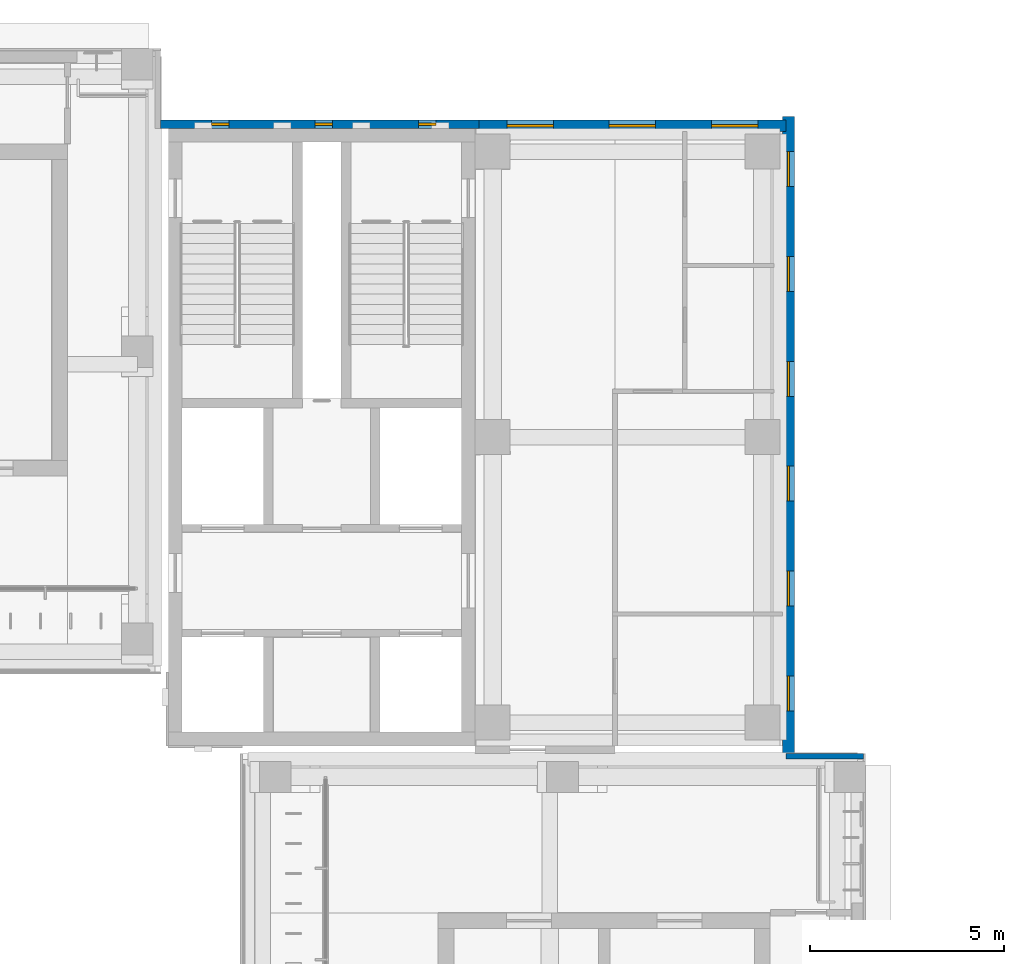
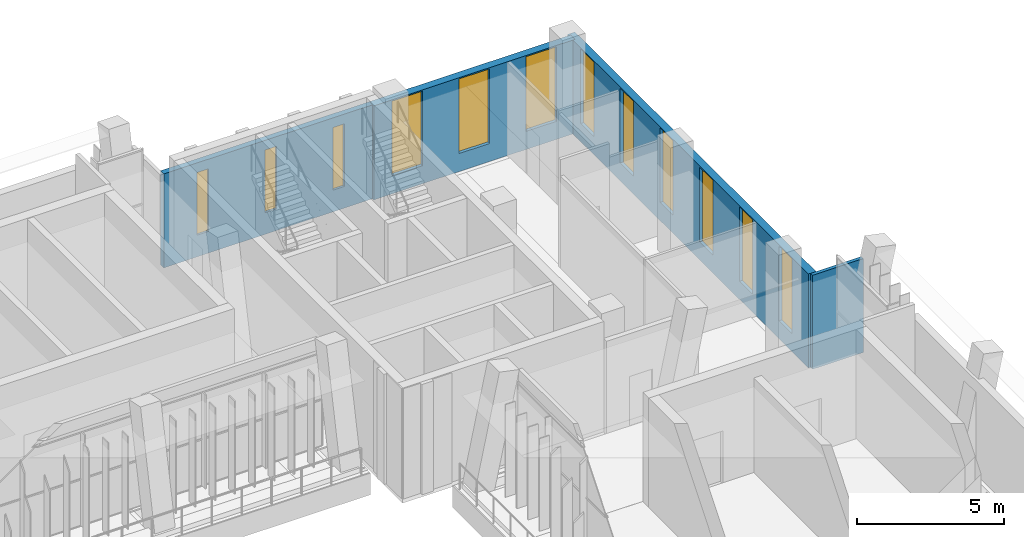
# One storey, part 115 of 141: 12 windows, 4 walls, 12 openings.
"""IFC4 building model written with IfcOpenShell, lengths in metres."""

from ifc_helpers import new_model, si_unit, direction, frame, frame_2d, origin, place, context, subcontext, project, spatial, rectangle, extrude, material, layer, layer_set, type_object, element, fill, save


model = new_model("IFC4")

# Units and contexts
model_context = context("Model", 3, precision=1e-05, world=origin(), true_north=direction((0.0, 1.0)))
body_context = subcontext(model_context, "Body", "Model", "MODEL_VIEW")
ifc_project = project(units=[si_unit("LENGTHUNIT", "METRE"), si_unit("AREAUNIT", "SQUARE_METRE"), si_unit("VOLUMEUNIT", "CUBIC_METRE"), si_unit("PLANEANGLEUNIT", "RADIAN"), si_unit("MASSUNIT", "GRAM", prefix="KILO")], contexts=[model_context])

# Site, building, storey
site_placement = place(None, origin())
site = spatial("IfcSite", under=ifc_project, at=site_placement, CompositionType="ELEMENT")
building_placement = place(site_placement, origin())
building = spatial("IfcBuilding", under=site, at=building_placement, Name="Lantern Court Media Centre", CompositionType="ELEMENT")
storey_placement = place(building_placement, frame((0.0, 0.0, 9.60009765625)))
storey = spatial("IfcBuildingStorey", under=building, at=storey_placement, Name="L02", CompositionType="ELEMENT", Elevation=9.60009765625)

# Wall, openings, windows
ifc_material_1 = material(Name="Honed limestone cladding on blockwork", Category="masonry")
ifc_layer_1 = layer(ifc_material_1, 0.300048828125)
ifc_layer_set_1 = layer_set([ifc_layer_1], Name="Honed limestone cladding on blockwork")
wall_type_1 = type_object("IfcWallType", Name="Limestone block wall 300", PredefinedType="SOLIDWALL", material=ifc_layer_set_1)
wall_1_placement = place(storey_placement, frame((96.070068359375, 95.89990234375, 0.0), z_axis=(0.0, 0.0, 1.0), x_axis=(0.0, 1.0, 0.0)))
wall_1 = element("IfcWall", 1, at=wall_1_placement, inside=storey, type_object=wall_type_1, Name="Limestone wall NE E L02", PredefinedType="SOLIDWALL", context=body_context, shape_type="SweptSolid", body=[
    extrude(rectangle(XDim=16.400146484375, YDim=0.300048828125, at=frame_2d((8.2001953125, 0.0))), origin(), (0.0, 0.0, 1.0), 3.89990234375),
])
opening_1_placement = place(wall_1_placement, frame((1.10009765625, 0.0, 0.75)))
opening_1 = element("IfcOpeningElement", 2, at=opening_1_placement, cuts=wall_1, Name="Opening WN-N", PredefinedType="OPENING", context=body_context, shape_type="SweptSolid", body=[
    extrude(rectangle(XDim=0.89990234375, YDim=3.10009765625, at=frame_2d((0.449951171875, 1.550048828125))), frame((0.0, 0.159912109375, 0.0), z_axis=(0.0, -1.0, 0.0), x_axis=(1.0, 0.0, 0.0)), (0.0, 0.0, 1.0), 0.320068359375),
])
opening_2_placement = place(wall_1_placement, frame((3.800048828125, 0.0, 0.75)))
opening_2 = element("IfcOpeningElement", 3, at=opening_2_placement, cuts=wall_1, Name="Opening WN-N", PredefinedType="OPENING", context=body_context, shape_type="SweptSolid", body=[
    extrude(rectangle(XDim=0.89990234375, YDim=3.10009765625, at=frame_2d((0.449951171875, 1.550048828125))), frame((0.0, 0.159912109375, 0.0), z_axis=(0.0, -1.0, 0.0), x_axis=(1.0, 0.0, 0.0)), (0.0, 0.0, 1.0), 0.320068359375),
])
opening_3_placement = place(wall_1_placement, frame((6.5, 0.0, 0.75)))
opening_3 = element("IfcOpeningElement", 4, at=opening_3_placement, cuts=wall_1, Name="Opening WN-N", PredefinedType="OPENING", context=body_context, shape_type="SweptSolid", body=[
    extrude(rectangle(XDim=0.89990234375, YDim=3.10009765625, at=frame_2d((0.449951171875, 1.550048828125))), frame((0.0, 0.159912109375, 0.0), z_axis=(0.0, -1.0, 0.0), x_axis=(1.0, 0.0, 0.0)), (0.0, 0.0, 1.0), 0.320068359375),
])
opening_4_placement = place(wall_1_placement, frame((9.199951171875, 0.0, 0.75)))
opening_4 = element("IfcOpeningElement", 5, at=opening_4_placement, cuts=wall_1, Name="Opening WN-N", PredefinedType="OPENING", context=body_context, shape_type="SweptSolid", body=[
    extrude(rectangle(XDim=0.89990234375, YDim=3.10009765625, at=frame_2d((0.449951171875, 1.550048828125))), frame((0.0, 0.159912109375, 0.0), z_axis=(0.0, -1.0, 0.0), x_axis=(1.0, 0.0, 0.0)), (0.0, 0.0, 1.0), 0.320068359375),
])
opening_5_placement = place(wall_1_placement, frame((11.89990234375, 0.0, 0.75)))
opening_5 = element("IfcOpeningElement", 6, at=opening_5_placement, cuts=wall_1, Name="Opening WN-N", PredefinedType="OPENING", context=body_context, shape_type="SweptSolid", body=[
    extrude(rectangle(XDim=0.89990234375, YDim=3.10009765625, at=frame_2d((0.449951171875, 1.550048828125))), frame((0.0, 0.159912109375, 0.0), z_axis=(0.0, -1.0, 0.0), x_axis=(1.0, 0.0, 0.0)), (0.0, 0.0, 1.0), 0.320068359375),
])
opening_6_placement = place(wall_1_placement, frame((14.60009765625, 0.0, 0.75)))
opening_6 = element("IfcOpeningElement", 7, at=opening_6_placement, cuts=wall_1, Name="Opening WN-N", PredefinedType="OPENING", context=body_context, shape_type="SweptSolid", body=[
    extrude(rectangle(XDim=0.89990234375, YDim=3.10009765625, at=frame_2d((0.449951171875, 1.550048828125))), frame((0.0, 0.159912109375, 0.0), z_axis=(0.0, -1.0, 0.0), x_axis=(1.0, 0.0, 0.0)), (0.0, 0.0, 1.0), 0.320068359375),
])
ifc_material_2 = material(Name="Anodised aluminium and glass", Category="aluminium")
window_type_1 = type_object("IfcWindowType", Name="Pier window 900x3100", PartitioningType="SINGLE_PANEL", PredefinedType="WINDOW", material=ifc_material_2)
window_1_placement = place(opening_1_placement, origin())
window_1 = element("IfcWindow", 8, at=window_1_placement, inside=storey, type_object=window_type_1, Name="Window NE E L02", OverallHeight=3.10009765625, OverallWidth=0.89990234375, PartitioningType="SINGLE_PANEL", PredefinedType="WINDOW", context=body_context, shape_type="SweptSolid", body=[
    extrude(rectangle(XDim=0.89990234375, YDim=3.10009765625, at=frame_2d((0.449951171875, 1.550048828125))), frame((0.0, 0.030029296875, 0.0), z_axis=(0.0, -1.0, 0.0), x_axis=(1.0, 0.0, 0.0)), (0.0, 0.0, 1.0), 0.06005859375),
])
fill(opening_1, window_1)
window_2_placement = place(opening_2_placement, origin())
window_2 = element("IfcWindow", 9, at=window_2_placement, inside=storey, type_object=window_type_1, Name="Window NE E L02", OverallHeight=3.10009765625, OverallWidth=0.89990234375, PartitioningType="SINGLE_PANEL", PredefinedType="WINDOW", context=body_context, shape_type="SweptSolid", body=[
    extrude(rectangle(XDim=0.89990234375, YDim=3.10009765625, at=frame_2d((0.449951171875, 1.550048828125))), frame((0.0, 0.030029296875, 0.0), z_axis=(0.0, -1.0, 0.0), x_axis=(1.0, 0.0, 0.0)), (0.0, 0.0, 1.0), 0.06005859375),
])
fill(opening_2, window_2)
window_3_placement = place(opening_3_placement, origin())
window_3 = element("IfcWindow", 10, at=window_3_placement, inside=storey, type_object=window_type_1, Name="Window NE E L02", OverallHeight=3.10009765625, OverallWidth=0.89990234375, PartitioningType="SINGLE_PANEL", PredefinedType="WINDOW", context=body_context, shape_type="SweptSolid", body=[
    extrude(rectangle(XDim=0.89990234375, YDim=3.10009765625, at=frame_2d((0.449951171875, 1.550048828125))), frame((0.0, 0.030029296875, 0.0), z_axis=(0.0, -1.0, 0.0), x_axis=(1.0, 0.0, 0.0)), (0.0, 0.0, 1.0), 0.06005859375),
])
fill(opening_3, window_3)
window_4_placement = place(opening_4_placement, origin())
window_4 = element("IfcWindow", 11, at=window_4_placement, inside=storey, type_object=window_type_1, Name="Window NE E L02", OverallHeight=3.10009765625, OverallWidth=0.89990234375, PartitioningType="SINGLE_PANEL", PredefinedType="WINDOW", context=body_context, shape_type="SweptSolid", body=[
    extrude(rectangle(XDim=0.89990234375, YDim=3.10009765625, at=frame_2d((0.449951171875, 1.550048828125))), frame((0.0, 0.030029296875, 0.0), z_axis=(0.0, -1.0, 0.0), x_axis=(1.0, 0.0, 0.0)), (0.0, 0.0, 1.0), 0.06005859375),
])
fill(opening_4, window_4)
window_5_placement = place(opening_5_placement, origin())
window_5 = element("IfcWindow", 12, at=window_5_placement, inside=storey, type_object=window_type_1, Name="Window NE E L02", OverallHeight=3.10009765625, OverallWidth=0.89990234375, PartitioningType="SINGLE_PANEL", PredefinedType="WINDOW", context=body_context, shape_type="SweptSolid", body=[
    extrude(rectangle(XDim=0.89990234375, YDim=3.10009765625, at=frame_2d((0.449951171875, 1.550048828125))), frame((0.0, 0.030029296875, 0.0), z_axis=(0.0, -1.0, 0.0), x_axis=(1.0, 0.0, 0.0)), (0.0, 0.0, 1.0), 0.06005859375),
])
fill(opening_5, window_5)
window_6_placement = place(opening_6_placement, origin())
window_6 = element("IfcWindow", 13, at=window_6_placement, inside=storey, type_object=window_type_1, Name="Window NE E L02", OverallHeight=3.10009765625, OverallWidth=0.89990234375, PartitioningType="SINGLE_PANEL", PredefinedType="WINDOW", context=body_context, shape_type="SweptSolid", body=[
    extrude(rectangle(XDim=0.89990234375, YDim=3.10009765625, at=frame_2d((0.449951171875, 1.550048828125))), frame((0.0, 0.030029296875, 0.0), z_axis=(0.0, -1.0, 0.0), x_axis=(1.0, 0.0, 0.0)), (0.0, 0.0, 1.0), 0.06005859375),
])
fill(opening_6, window_6)

wall_2_placement = place(storey_placement, frame((88.10009765625, 112.070068359375, 0.0), z_axis=(0.0, 0.0, 1.0), x_axis=(1.0, 0.0, 0.0)))
wall_2 = element("IfcWall", 14, at=wall_2_placement, inside=storey, type_object=wall_type_1, Name="Limestone wall NE N L02", PredefinedType="SOLIDWALL", context=body_context, shape_type="SweptSolid", body=[
    extrude(rectangle(XDim=7.89990234375, YDim=0.300048828125, at=frame_2d((3.949951171875, 0.0))), origin(), (0.0, 0.0, 1.0), 3.89990234375),
])
opening_7_placement = place(wall_2_placement, frame((0.716552734375, 0.0, 0.75)))
opening_7 = element("IfcOpeningElement", 15, at=opening_7_placement, cuts=wall_2, Name="Opening WN-T", PredefinedType="OPENING", context=body_context, shape_type="SweptSolid", body=[
    extrude(rectangle(XDim=1.199951171875, YDim=3.10009765625, at=frame_2d((0.60009765625, 1.550048828125))), frame((0.0, 0.159912109375, 0.0), z_axis=(0.0, -1.0, 0.0), x_axis=(1.0, 0.0, 0.0)), (0.0, 0.0, 1.0), 0.320068359375),
])
opening_8_placement = place(wall_2_placement, frame((3.35009765625, 0.0, 0.75)))
opening_8 = element("IfcOpeningElement", 16, at=opening_8_placement, cuts=wall_2, Name="Opening WN-T", PredefinedType="OPENING", context=body_context, shape_type="SweptSolid", body=[
    extrude(rectangle(XDim=1.199951171875, YDim=3.10009765625, at=frame_2d((0.60009765625, 1.550048828125))), frame((0.0, 0.159912109375, 0.0), z_axis=(0.0, -1.0, 0.0), x_axis=(1.0, 0.0, 0.0)), (0.0, 0.0, 1.0), 0.320068359375),
])
opening_9_placement = place(wall_2_placement, frame((5.9833984375, 0.0, 0.75)))
opening_9 = element("IfcOpeningElement", 17, at=opening_9_placement, cuts=wall_2, Name="Opening WN-T", PredefinedType="OPENING", context=body_context, shape_type="SweptSolid", body=[
    extrude(rectangle(XDim=1.199951171875, YDim=3.10009765625, at=frame_2d((0.60009765625, 1.550048828125))), frame((0.0, 0.159912109375, 0.0), z_axis=(0.0, -1.0, 0.0), x_axis=(1.0, 0.0, 0.0)), (0.0, 0.0, 1.0), 0.320068359375),
])
window_type_2 = type_object("IfcWindowType", Name="Tall window 1200x3100", PartitioningType="SINGLE_PANEL", PredefinedType="WINDOW", material=ifc_material_2)
window_7_placement = place(opening_7_placement, origin())
window_7 = element("IfcWindow", 18, at=window_7_placement, inside=storey, type_object=window_type_2, Name="Window NE N L02", OverallHeight=3.10009765625, OverallWidth=1.199951171875, PartitioningType="SINGLE_PANEL", PredefinedType="WINDOW", context=body_context, shape_type="SweptSolid", body=[
    extrude(rectangle(XDim=1.199951171875, YDim=3.10009765625, at=frame_2d((0.60009765625, 1.550048828125))), frame((0.0, 0.030029296875, 0.0), z_axis=(0.0, -1.0, 0.0), x_axis=(1.0, 0.0, 0.0)), (0.0, 0.0, 1.0), 0.06005859375),
])
fill(opening_7, window_7)
window_8_placement = place(opening_8_placement, origin())
window_8 = element("IfcWindow", 19, at=window_8_placement, inside=storey, type_object=window_type_2, Name="Window NE N L02", OverallHeight=3.10009765625, OverallWidth=1.199951171875, PartitioningType="SINGLE_PANEL", PredefinedType="WINDOW", context=body_context, shape_type="SweptSolid", body=[
    extrude(rectangle(XDim=1.199951171875, YDim=3.10009765625, at=frame_2d((0.60009765625, 1.550048828125))), frame((0.0, 0.030029296875, 0.0), z_axis=(0.0, -1.0, 0.0), x_axis=(1.0, 0.0, 0.0)), (0.0, 0.0, 1.0), 0.06005859375),
])
fill(opening_8, window_8)
window_9_placement = place(opening_9_placement, origin())
window_9 = element("IfcWindow", 20, at=window_9_placement, inside=storey, type_object=window_type_2, Name="Window NE N L02", OverallHeight=3.10009765625, OverallWidth=1.199951171875, PartitioningType="SINGLE_PANEL", PredefinedType="WINDOW", context=body_context, shape_type="SweptSolid", body=[
    extrude(rectangle(XDim=1.199951171875, YDim=3.10009765625, at=frame_2d((0.60009765625, 1.550048828125))), frame((0.0, 0.030029296875, 0.0), z_axis=(0.0, -1.0, 0.0), x_axis=(1.0, 0.0, 0.0)), (0.0, 0.0, 1.0), 0.06005859375),
])
fill(opening_9, window_9)

# Wall
ifc_layer_2 = layer(ifc_material_1, 0.139892578125)
ifc_layer_set_2 = layer_set([ifc_layer_2], Name="Honed limestone cladding on blockwork")
wall_type_2 = type_object("IfcWallType", Name="Limestone closure wall 140", PredefinedType="SOLIDWALL", material=ifc_layer_set_2)
wall_3_placement = place(storey_placement, frame((96.0, 95.830078125, 0.0), z_axis=(0.0, 0.0, 1.0), x_axis=(1.0, 0.0, 0.0)))
element("IfcWall", 21, at=wall_3_placement, inside=storey, type_object=wall_type_2, Name="Limestone closure wall E-NE L02", PredefinedType="SOLIDWALL", context=body_context, shape_type="SweptSolid", body=[
    extrude(rectangle(XDim=2.0, YDim=0.139892578125, at=frame_2d((1.0, 0.0))), origin(), (0.0, 0.0, 1.0), 3.89990234375),
])

# Wall, openings, windows
ifc_material_3 = material(Name="Honed limestone cladding on blockwork, reduced to 220 where it passes the core wall", Category="masonry")
ifc_layer_3 = layer(ifc_material_3, 0.219970703125)
ifc_layer_set_3 = layer_set([ifc_layer_3], Name="Honed limestone cladding on blockwork, reduced to 220 where it passes the core wall")
wall_type_3 = type_object("IfcWallType", Name="Limestone skin wall 220", PredefinedType="SOLIDWALL", material=ifc_layer_set_3)
wall_4_placement = place(storey_placement, frame((79.89990234375, 112.110107421875, 0.0), z_axis=(0.0, 0.0, 1.0), x_axis=(1.0, 0.0, 0.0)))
wall_4 = element("IfcWall", 22, at=wall_4_placement, inside=storey, type_object=wall_type_3, Name="Limestone wall NE N L02", PredefinedType="SOLIDWALL", context=body_context, shape_type="SweptSolid", body=[
    extrude(rectangle(XDim=8.2001953125, YDim=0.219970703125, at=frame_2d((4.10009765625, 0.0))), origin(), (0.0, 0.0, 1.0), 3.89990234375),
])
opening_10_placement = place(wall_4_placement, frame((1.308349609375, 0.0, 0.89990234375)))
opening_10 = element("IfcOpeningElement", 23, at=opening_10_placement, cuts=wall_4, Name="Opening WN-S", PredefinedType="OPENING", context=body_context, shape_type="SweptSolid", body=[
    extrude(rectangle(XDim=0.449951171875, YDim=2.60009765625, at=frame_2d((0.22509765625, 1.300048828125))), frame((0.0, 0.119873046875, 0.0), z_axis=(0.0, -1.0, 0.0), x_axis=(1.0, 0.0, 0.0)), (0.0, 0.0, 1.0), 0.239990234375),
])
opening_11_placement = place(wall_4_placement, frame((3.97509765625, 0.0, 0.89990234375)))
opening_11 = element("IfcOpeningElement", 24, at=opening_11_placement, cuts=wall_4, Name="Opening WN-S", PredefinedType="OPENING", context=body_context, shape_type="SweptSolid", body=[
    extrude(rectangle(XDim=0.449951171875, YDim=2.60009765625, at=frame_2d((0.22509765625, 1.300048828125))), frame((0.0, 0.119873046875, 0.0), z_axis=(0.0, -1.0, 0.0), x_axis=(1.0, 0.0, 0.0)), (0.0, 0.0, 1.0), 0.239990234375),
])
opening_12_placement = place(wall_4_placement, frame((6.6416015625, 0.0, 0.89990234375)))
opening_12 = element("IfcOpeningElement", 25, at=opening_12_placement, cuts=wall_4, Name="Opening WN-S", PredefinedType="OPENING", context=body_context, shape_type="SweptSolid", body=[
    extrude(rectangle(XDim=0.449951171875, YDim=2.60009765625, at=frame_2d((0.22509765625, 1.300048828125))), frame((0.0, 0.119873046875, 0.0), z_axis=(0.0, -1.0, 0.0), x_axis=(1.0, 0.0, 0.0)), (0.0, 0.0, 1.0), 0.239990234375),
])
window_type_3 = type_object("IfcWindowType", Name="Stair slit window 450x2600", PartitioningType="SINGLE_PANEL", PredefinedType="WINDOW", material=ifc_material_2)
window_10_placement = place(opening_10_placement, origin())
window_10 = element("IfcWindow", 26, at=window_10_placement, inside=storey, type_object=window_type_3, Name="Window NE N L02", OverallHeight=2.60009765625, OverallWidth=0.449951171875, PartitioningType="SINGLE_PANEL", PredefinedType="WINDOW", context=body_context, shape_type="SweptSolid", body=[
    extrude(rectangle(XDim=0.449951171875, YDim=2.60009765625, at=frame_2d((0.22509765625, 1.300048828125))), frame((0.0, 0.030029296875, 0.0), z_axis=(0.0, -1.0, 0.0), x_axis=(1.0, 0.0, 0.0)), (0.0, 0.0, 1.0), 0.06005859375),
])
fill(opening_10, window_10)
window_11_placement = place(opening_11_placement, origin())
window_11 = element("IfcWindow", 27, at=window_11_placement, inside=storey, type_object=window_type_3, Name="Window NE N L02", OverallHeight=2.60009765625, OverallWidth=0.449951171875, PartitioningType="SINGLE_PANEL", PredefinedType="WINDOW", context=body_context, shape_type="SweptSolid", body=[
    extrude(rectangle(XDim=0.449951171875, YDim=2.60009765625, at=frame_2d((0.22509765625, 1.300048828125))), frame((0.0, 0.030029296875, 0.0), z_axis=(0.0, -1.0, 0.0), x_axis=(1.0, 0.0, 0.0)), (0.0, 0.0, 1.0), 0.06005859375),
])
fill(opening_11, window_11)
window_12_placement = place(opening_12_placement, origin())
window_12 = element("IfcWindow", 28, at=window_12_placement, inside=storey, type_object=window_type_3, Name="Window NE N L02", OverallHeight=2.60009765625, OverallWidth=0.449951171875, PartitioningType="SINGLE_PANEL", PredefinedType="WINDOW", context=body_context, shape_type="SweptSolid", body=[
    extrude(rectangle(XDim=0.449951171875, YDim=2.60009765625, at=frame_2d((0.22509765625, 1.300048828125))), frame((0.0, 0.030029296875, 0.0), z_axis=(0.0, -1.0, 0.0), x_axis=(1.0, 0.0, 0.0)), (0.0, 0.0, 1.0), 0.06005859375),
])
fill(opening_12, window_12)

save(model, "model.ifc")
